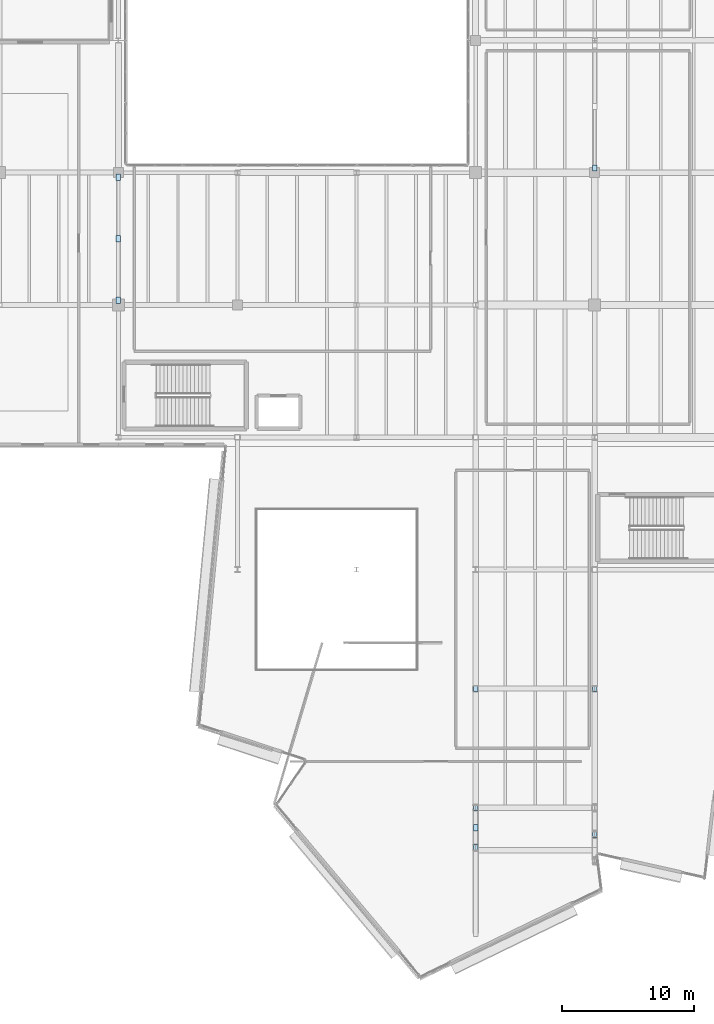
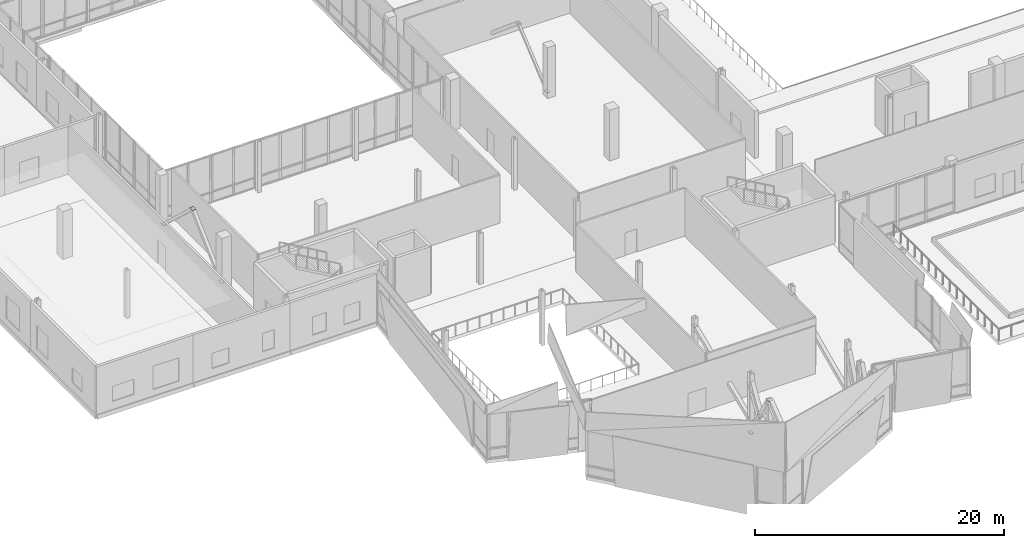
# One storey, part 39 of 60: 10 plates.
"""IFC4 building model written with IfcOpenShell, lengths in metres."""

from ifc_helpers import new_model, si_unit, direction, frame, origin, origin_2d, place, context, subcontext, project, spatial, rectangle, extrude, material, layer, layer_set, type_object, element, save


model = new_model("IFC4")

# Units and contexts
model_context = context("Model", 3, precision=1e-05, world=origin(), true_north=direction((0.0, 1.0)))
body_context = subcontext(model_context, "Body", "Model", "MODEL_VIEW")
ifc_project = project(units=[si_unit("LENGTHUNIT", "METRE"), si_unit("AREAUNIT", "SQUARE_METRE"), si_unit("VOLUMEUNIT", "CUBIC_METRE"), si_unit("PLANEANGLEUNIT", "RADIAN"), si_unit("MASSUNIT", "GRAM", prefix="KILO")], contexts=[model_context])

# Site, building, storey
site_placement = place(None, origin())
site = spatial("IfcSite", under=ifc_project, at=site_placement, CompositionType="ELEMENT")
building_placement = place(site_placement, origin())
building = spatial("IfcBuilding", under=site, at=building_placement, Name="Trimount Lyric Opera House", CompositionType="ELEMENT")
storey_placement = place(building_placement, frame((0.0, 0.0, 15.0)))
storey = spatial("IfcBuildingStorey", under=building, at=storey_placement, Name="L03", CompositionType="ELEMENT", Elevation=15.0)

# Plates
ifc_material = material(Name="Steel ASTM A572 Grade 50", Category="steel")
ifc_layer = layer(ifc_material, 0.02490234375)
ifc_layer_set = layer_set([ifc_layer], Name="KN-02")
plate_type = type_object("IfcPlateType", Name="KN-02", PredefinedType="USERDEFINED", material=ifc_layer_set)
for number, where, z_axis, x_axis, name in (
    (1, (45.0, 24.5, 1.629150390625), (0.0, 0.0, 1.0), (0.0, 1.0, 0.0), "L03 crystal truss gusset 2"),
    (2, (45.0, 35.0, 4.1416015625), (0.0, 0.0, 1.0), (0.0, -1.0, 0.0), "L03 brace CT-TIEBACK-L03-2 end gusset plate A"),
    (3, (45.0, 26.0, -0.883544921875), (0.0, 0.0, 1.0), (0.0, -1.0, 0.0), "L03 brace CT-DIAG-L03-2 end gusset plate A"),
    (4, (45.0, 23.0, 4.1416015625), (0.0, 0.0, 1.0), (0.0, -1.0, 0.0), "L03 brace CT-DIAG-L03-2 end gusset plate B"),
    (5, (54.0, 35.0, 4.1416015625), (0.0, 0.0, 1.0), (0.0, -1.0, 0.0), "L03 brace CT-TIEBACK-L03-3 end gusset plate A"),
    (6, (54.0, 24.0, -0.883544921875), (0.0, 0.0, 1.0), (0.0, -1.0, 0.0), "L03 brace CT-TIEBACK-L03-3 end gusset plate B"),
    (7, (18.0, 64.35009765625, 0.137451171875), (0.0, 0.0, 1.0), (0.0, 1.0, 0.0), "L03 brace BRC-BF-1-L03-L1 end gusset plate A"),
    (8, (18.0, 69.0, 4.467529296875), (0.0, 0.0, 1.0), (0.0, 1.0, 0.0), "L03 brace BRC-BF-1-L03-L1 end gusset plate B"),
    (9, (18.0, 73.64990234375, 0.137451171875), (0.0, 0.0, 1.0), (0.0, -1.0, 0.0), "L03 brace BRC-BF-1-L03-L2 end gusset plate A"),
    (10, (54.0, 74.35009765625, 0.137451171875), (0.0, 0.0, 1.0), (0.0, 1.0, 0.0), "L03 brace BRC-BF-2-L03-L1 end gusset plate A"),
):
    element("IfcPlate", number, at=place(storey_placement, frame(where, z_axis=z_axis, x_axis=x_axis)), inside=storey, type_object=plate_type, Name=name, ObjectType="GUSSET_PLATE", PredefinedType="USERDEFINED", context=body_context, shape_type="SweptSolid", body=[
        extrude(rectangle(XDim=0.47998046875, YDim=0.340087890625, at=origin_2d()), origin(), (0.0, 0.0, 1.0), 0.02490234375),
    ])

save(model, "model.ifc")
